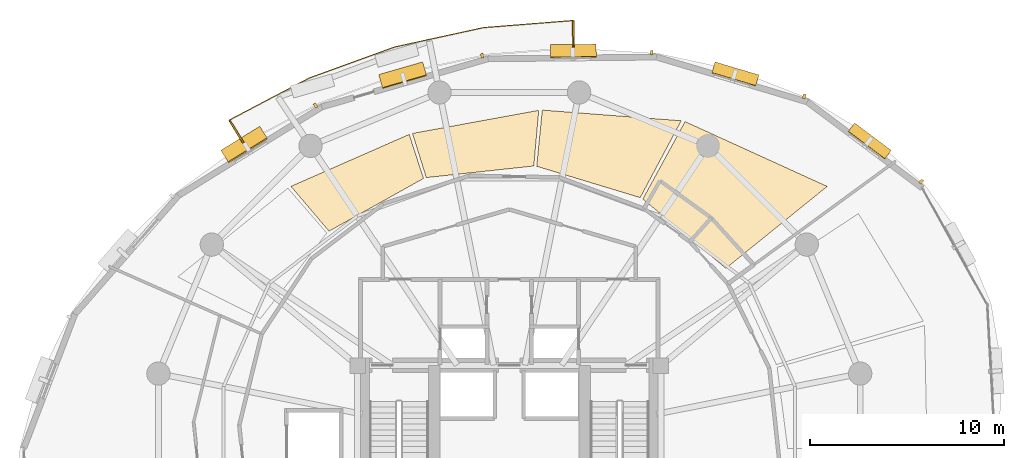
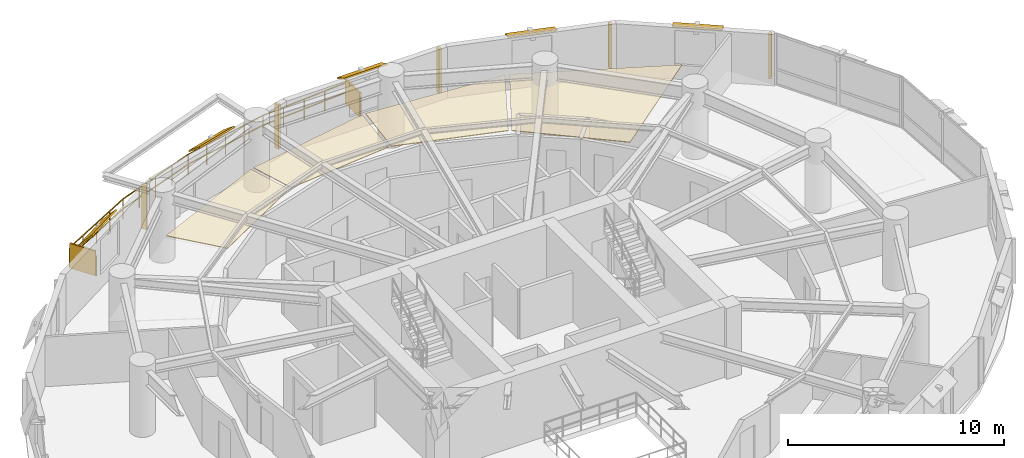
# One storey, part 15 of 15: 12 shading devices, 4 coverings, 1 railing.
"""IFC4 building model written with IfcOpenShell, lengths in metres."""

from ifc_helpers import new_model, si_unit, direction, frame, origin, origin_2d, place, context, subcontext, project, spatial, polyline, rectangle, outline, extrude, material, layer, layer_set, type_object, element, save


model = new_model("IFC4")

# Units and contexts
model_context = context("Model", 3, precision=1e-05, world=origin(), true_north=direction((0.0, 1.0)))
body_context = subcontext(model_context, "Body", "Model", "MODEL_VIEW")
ifc_project = project(units=[si_unit("LENGTHUNIT", "METRE"), si_unit("AREAUNIT", "SQUARE_METRE"), si_unit("VOLUMEUNIT", "CUBIC_METRE"), si_unit("PLANEANGLEUNIT", "RADIAN"), si_unit("MASSUNIT", "GRAM", prefix="KILO"), si_unit("THERMODYNAMICTEMPERATUREUNIT", "KELVIN"), si_unit("POWERUNIT", "WATT")], contexts=[model_context])

# Site, building, storey
site_placement = place(None, origin())
site = spatial("IfcSite", under=ifc_project, at=site_placement, CompositionType="ELEMENT")
building_placement = place(site_placement, origin())
building = spatial("IfcBuilding", under=site, at=building_placement, Name="Ocrelia Relay Tower", CompositionType="ELEMENT")
storey_placement = place(building_placement, frame((0.0, 0.0, 101.800048828125)))
storey = spatial("IfcBuildingStorey", under=building, at=storey_placement, Name="L23", CompositionType="ELEMENT", Elevation=101.800048828125)

# Coverings
ifc_material_1 = material(Name="Cleanroom metal-pan acoustic ceiling", Category="aluminium")
ifc_layer_1 = layer(ifc_material_1, 0.0400390625, Name="Cleanroom metal-pan acoustic ceiling")
ifc_layer_set_1 = layer_set([ifc_layer_1], Name="Cleanroom metal-pan acoustic ceiling")
covering_type = type_object("IfcCoveringType", Name="COV-CEIL-CLEAN", PredefinedType="CEILING", material=ifc_layer_set_1)
covering_1_placement = place(storey_placement, frame((0.0, 0.0, 2.719970703125)))
element("IfcCovering", 1, at=covering_1_placement, inside=storey, type_object=covering_type, Name="L23 Optical Switching Hall A Suspended Ceiling 1", PredefinedType="CEILING", context=body_context, shape_type="SweptSolid", body=[
    extrude(outline(polyline([(45.13671875, 35.002197265625), (50.348876953125, 39.21533203125), (43.040283203125, 42.546630859375), (40.86572265625, 38.566650390625), (45.13671875, 35.002197265625)])), origin(), (0.0, 0.0, 1.0), 0.0400390625),
])
covering_2_placement = place(storey_placement, frame((0.0, 0.0, 2.719970703125)))
element("IfcCovering", 2, at=covering_2_placement, inside=storey, type_object=covering_type, Name="L23 Optical Switching Hall A Suspended Ceiling 2", PredefinedType="CEILING", context=body_context, shape_type="SweptSolid", body=[
    extrude(outline(polyline([(40.73388671875, 38.637939453125), (42.8408203125, 42.592529296875), (35.69580078125, 43.139892578125), (35.409912109375, 40.25048828125), (40.73388671875, 38.637939453125)])), origin(), (0.0, 0.0, 1.0), 0.0400390625),
])
covering_3_placement = place(storey_placement, frame((0.0, 0.0, 2.719970703125)))
element("IfcCovering", 3, at=covering_3_placement, inside=storey, type_object=covering_type, Name="L23 Optical Switching Hall A Suspended Ceiling 3", PredefinedType="CEILING", context=body_context, shape_type="SweptSolid", body=[
    extrude(outline(polyline([(35.260498046875, 40.264404296875), (35.513671875, 43.12841796875), (29.01953125, 41.941650390625), (29.729736328125, 39.66845703125), (35.260498046875, 40.264404296875)])), origin(), (0.0, 0.0, 1.0), 0.0400390625),
])
covering_4_placement = place(storey_placement, frame((0.0, 0.0, 2.719970703125)))
element("IfcCovering", 4, at=covering_4_placement, inside=storey, type_object=covering_type, Name="L23 Optical Switching Hall A Suspended Ceiling 4", PredefinedType="CEILING", context=body_context, shape_type="SweptSolid", body=[
    extrude(outline(polyline([(29.5869140625, 39.623046875), (28.852294921875, 41.890380859375), (22.77001953125, 39.218505859375), (24.728515625, 36.913330078125), (29.5869140625, 39.623046875)])), origin(), (0.0, 0.0, 1.0), 0.0400390625),
])

# Railing
ifc_material_2 = material(Name="Steel S355 balustrade", Category="steel")
railing_type = type_object("IfcRailingType", Name="RL-EXT-GUARD-1150", PredefinedType="GUARDRAIL", material=ifc_material_2)
railing_placement = place(storey_placement, frame((20.3330078125, 41.44287109375, 0.0)))
element("IfcRailing", 5, at=railing_placement, inside=storey, type_object=railing_type, Name="L23 Loggia Balcony Guard Rail B1", PredefinedType="GUARDRAIL", context=body_context, shape_type="SweptSolid", body=[
    extrude(rectangle(XDim=0.048095703125, YDim=0.048095703125, at=origin_2d()), frame((0.0, 0.0, 1.1259765625), z_axis=(-0.527192759195, 0.849745723527, 0.0), x_axis=(-0.849745723527, -0.527192759195, 0.0)), (0.0, 0.0, 1.0), 1.3935546875),
    extrude(rectangle(XDim=0.048095703125, YDim=0.048095703125, at=origin_2d()), frame((0.0, 0.0, 0.574951171875), z_axis=(-0.527192759195, 0.849745723527, 0.0), x_axis=(-0.849745723527, -0.527192759195, 0.0)), (0.0, 0.0, 1.0), 1.3935546875),
    extrude(rectangle(XDim=0.048095703125, YDim=0.048095703125, at=origin_2d()), frame((-0.734619140625, 1.18408203125, 1.1259765625), z_axis=(0.884826741708, 0.465920204712, 0.0), x_axis=(-0.465920204712, 0.884826741708, 0.0)), (0.0, 0.0, 1.0), 2.316162109375),
    extrude(rectangle(XDim=0.048095703125, YDim=0.048095703125, at=origin_2d()), frame((-0.734619140625, 1.18408203125, 0.574951171875), z_axis=(0.884826741708, 0.465920204712, 0.0), x_axis=(-0.465920204712, 0.884826741708, 0.0)), (0.0, 0.0, 1.0), 2.316162109375),
    extrude(rectangle(XDim=0.048095703125, YDim=0.048095703125, at=origin_2d()), frame((1.314697265625, 2.26318359375, 1.1259765625), z_axis=(0.884847317738, 0.465881126782, 0.0), x_axis=(-0.465881126782, 0.884847317738, 0.0)), (0.0, 0.0, 1.0), 2.315673828125),
    extrude(rectangle(XDim=0.048095703125, YDim=0.048095703125, at=origin_2d()), frame((1.314697265625, 2.26318359375, 0.574951171875), z_axis=(0.884847317738, 0.465881126782, 0.0), x_axis=(-0.465881126782, 0.884847317738, 0.0)), (0.0, 0.0, 1.0), 2.315673828125),
    extrude(rectangle(XDim=0.048095703125, YDim=0.048095703125, at=origin_2d()), frame((3.36376953125, 3.342041015625, 1.1259765625), z_axis=(0.939750786978, 0.341860290724, 0.0), x_axis=(-0.341860290724, 0.939750786978, 0.0)), (0.0, 0.0, 1.0), 4.681884765625),
    extrude(rectangle(XDim=0.048095703125, YDim=0.048095703125, at=origin_2d()), frame((3.36376953125, 3.342041015625, 0.574951171875), z_axis=(0.939750786978, 0.341860290724, 0.0), x_axis=(-0.341860290724, 0.939750786978, 0.0)), (0.0, 0.0, 1.0), 4.681884765625),
    extrude(rectangle(XDim=0.048095703125, YDim=0.048095703125, at=origin_2d()), frame((7.763671875, 4.942626953125, 1.1259765625), z_axis=(0.977005690395, 0.2132132288, 0.0), x_axis=(-0.2132132288, 0.977005690395, 0.0)), (0.0, 0.0, 1.0), 4.68212890625),
    extrude(rectangle(XDim=0.048095703125, YDim=0.048095703125, at=origin_2d()), frame((7.763671875, 4.942626953125, 0.574951171875), z_axis=(0.977005690395, 0.2132132288, 0.0), x_axis=(-0.2132132288, 0.977005690395, 0.0)), (0.0, 0.0, 1.0), 4.68212890625),
    extrude(rectangle(XDim=0.048095703125, YDim=0.048095703125, at=origin_2d()), frame((12.338134765625, 5.94091796875, 1.1259765625), z_axis=(0.996877654387, 0.078961650078, 0.0), x_axis=(-0.078961650078, 0.996877654387, 0.0)), (0.0, 0.0, 1.0), 2.31591796875),
    extrude(rectangle(XDim=0.048095703125, YDim=0.048095703125, at=origin_2d()), frame((12.338134765625, 5.94091796875, 0.574951171875), z_axis=(0.996877654387, 0.078961650078, 0.0), x_axis=(-0.078961650078, 0.996877654387, 0.0)), (0.0, 0.0, 1.0), 2.31591796875),
    extrude(rectangle(XDim=0.048095703125, YDim=0.048095703125, at=origin_2d()), frame((14.646728515625, 6.123779296875, 1.1259765625), z_axis=(0.996877654387, 0.078961650078, 0.0), x_axis=(-0.078961650078, 0.996877654387, 0.0)), (0.0, 0.0, 1.0), 2.31591796875),
    extrude(rectangle(XDim=0.048095703125, YDim=0.048095703125, at=origin_2d()), frame((14.646728515625, 6.123779296875, 0.574951171875), z_axis=(0.996877654387, 0.078961650078, 0.0), x_axis=(-0.078961650078, 0.996877654387, 0.0)), (0.0, 0.0, 1.0), 2.31591796875),
    extrude(rectangle(XDim=0.048095703125, YDim=0.048095703125, at=origin_2d()), frame((16.955322265625, 6.306640625, 1.1259765625), z_axis=(0.008585630629, -0.999963142794, 0.0), x_axis=(0.999963142794, 0.008585630629, 0.0)), (0.0, 0.0, 1.0), 1.393310546875),
    extrude(rectangle(XDim=0.048095703125, YDim=0.048095703125, at=origin_2d()), frame((16.955322265625, 6.306640625, 0.574951171875), z_axis=(0.008585630629, -0.999963142794, 0.0), x_axis=(0.999963142794, 0.008585630629, 0.0)), (0.0, 0.0, 1.0), 1.393310546875),
    extrude(rectangle(XDim=0.0419921875, YDim=0.0419921875, at=origin_2d()), origin(), (0.0, 0.0, 1.0), 1.101806640625),
    extrude(rectangle(XDim=0.0419921875, YDim=0.0419921875, at=origin_2d()), frame((-0.3671875, 0.592041015625, 0.0)), (0.0, 0.0, 1.0), 1.101806640625),
    extrude(rectangle(XDim=0.0419921875, YDim=0.0419921875, at=origin_2d()), frame((-0.734619140625, 1.18408203125, 0.0)), (0.0, 0.0, 1.0), 1.101806640625),
    extrude(rectangle(XDim=0.0419921875, YDim=0.0419921875, at=origin_2d()), frame((0.2900390625, 1.7236328125, 0.0)), (0.0, 0.0, 1.0), 1.101806640625),
    extrude(rectangle(XDim=0.0419921875, YDim=0.0419921875, at=origin_2d()), frame((1.314697265625, 2.26318359375, 0.0)), (0.0, 0.0, 1.0), 1.101806640625),
    extrude(rectangle(XDim=0.0419921875, YDim=0.0419921875, at=origin_2d()), frame((2.33935546875, 2.802734375, 0.0)), (0.0, 0.0, 1.0), 1.101806640625),
    extrude(rectangle(XDim=0.0419921875, YDim=0.0419921875, at=origin_2d()), frame((3.36376953125, 3.342041015625, 0.0)), (0.0, 0.0, 1.0), 1.101806640625),
    extrude(rectangle(XDim=0.0419921875, YDim=0.0419921875, at=origin_2d()), frame((4.4638671875, 3.7421875, 0.0)), (0.0, 0.0, 1.0), 1.101806640625),
    extrude(rectangle(XDim=0.0419921875, YDim=0.0419921875, at=origin_2d()), frame((5.563720703125, 4.142333984375, 0.0)), (0.0, 0.0, 1.0), 1.101806640625),
    extrude(rectangle(XDim=0.0419921875, YDim=0.0419921875, at=origin_2d()), frame((6.66357421875, 4.54248046875, 0.0)), (0.0, 0.0, 1.0), 1.101806640625),
    extrude(rectangle(XDim=0.0419921875, YDim=0.0419921875, at=origin_2d()), frame((7.763671875, 4.942626953125, 0.0)), (0.0, 0.0, 1.0), 1.101806640625),
    extrude(rectangle(XDim=0.0419921875, YDim=0.0419921875, at=origin_2d()), frame((8.9072265625, 5.192138671875, 0.0)), (0.0, 0.0, 1.0), 1.101806640625),
    extrude(rectangle(XDim=0.0419921875, YDim=0.0419921875, at=origin_2d()), frame((10.05078125, 5.44189453125, 0.0)), (0.0, 0.0, 1.0), 1.101806640625),
    extrude(rectangle(XDim=0.0419921875, YDim=0.0419921875, at=origin_2d()), frame((11.194580078125, 5.69140625, 0.0)), (0.0, 0.0, 1.0), 1.101806640625),
    extrude(rectangle(XDim=0.0419921875, YDim=0.0419921875, at=origin_2d()), frame((12.338134765625, 5.94091796875, 0.0)), (0.0, 0.0, 1.0), 1.101806640625),
    extrude(rectangle(XDim=0.0419921875, YDim=0.0419921875, at=origin_2d()), frame((13.492431640625, 6.0322265625, 0.0)), (0.0, 0.0, 1.0), 1.101806640625),
    extrude(rectangle(XDim=0.0419921875, YDim=0.0419921875, at=origin_2d()), frame((14.646728515625, 6.123779296875, 0.0)), (0.0, 0.0, 1.0), 1.101806640625),
    extrude(rectangle(XDim=0.0419921875, YDim=0.0419921875, at=origin_2d()), frame((15.801025390625, 6.21533203125, 0.0)), (0.0, 0.0, 1.0), 1.101806640625),
    extrude(rectangle(XDim=0.0419921875, YDim=0.0419921875, at=origin_2d()), frame((16.955322265625, 6.306640625, 0.0)), (0.0, 0.0, 1.0), 1.101806640625),
    extrude(rectangle(XDim=0.0419921875, YDim=0.0419921875, at=origin_2d()), frame((16.96142578125, 5.60986328125, 0.0)), (0.0, 0.0, 1.0), 1.101806640625),
    extrude(rectangle(XDim=0.0419921875, YDim=0.0419921875, at=origin_2d()), frame((16.96728515625, 4.913330078125, 0.0)), (0.0, 0.0, 1.0), 1.101806640625),
])

# Shading devices
ifc_material_3 = material(Name="Perforated oxide terracotta solar screen", Category="masonry")
ifc_layer_2 = layer(ifc_material_3, 0.090087890625, Name="Perforated oxide terracotta solar screen")
ifc_layer_set_2 = layer_set([ifc_layer_2], Name="Perforated oxide terracotta solar screen")
shading_device_type_1 = type_object("IfcShadingDeviceType", Name="SH-BALC-SCREEN", PredefinedType="USERDEFINED", material=ifc_layer_set_2)
for number, where, z_axis, x_axis, name in (
    (6, (37.294189453125, 47.052978515625, 0.0), (0.0, 0.0, 1.0), (-0.00861170879, 0.999962918548, 0.0), "L23 Balcony Perforated Terracotta Screen B1-1"),
    (7, (19.9658203125, 42.034912109375, 0.0), (0.0, 0.0, 1.0), (-0.527041268074, 0.849839691793, 0.0), "L23 Balcony Perforated Terracotta Screen B1-2"),
):
    element("IfcShadingDevice", number, at=place(storey_placement, frame(where, z_axis=z_axis, x_axis=x_axis)), inside=storey, type_object=shading_device_type_1, Name=name, ObjectType="SCREEN", PredefinedType="USERDEFINED", context=body_context, shape_type="SweptSolid", body=[
        extrude(rectangle(XDim=1.340087890625, YDim=0.090087890625, at=origin_2d()), origin(), (0.0, 0.0, 1.0), 1.39990234375),
    ])
ifc_material_4 = material(Name="Extruded oxide terracotta vertical baguette", Category="masonry")
shading_device_type_2 = type_object("IfcShadingDeviceType", Name="SH-TERR-BAGUETTE", PredefinedType="USERDEFINED", material=ifc_material_4)
for number, where, z_axis, x_axis, name in (
    (8, (55.18798828125, 39.458251953125, 0.199951171875), (0.0, 0.0, 1.0), (-0.800414257869, 0.599447258564, 0.0), "L23 Oxide Terracotta Vertical Baguette 02"),
    (9, (49.168212890625, 43.84521484375, 0.199951171875), (0.0, 0.0, 1.0), (-0.958479977376, 0.285159837581, 0.0), "L23 Oxide Terracotta Vertical Baguette 03"),
    (10, (41.331298828125, 46.09228515625, 0.199951171875), (0.0, 0.0, 1.0), (-0.999948989877, -0.010100378382, 0.0), "L23 Oxide Terracotta Vertical Baguette 04"),
    (11, (32.6064453125, 45.93115234375, 0.199951171875), (0.0, 0.0, 1.0), (-0.960536510683, -0.27815393516, 0.0), "L23 Oxide Terracotta Vertical Baguette 05"),
    (12, (24.035888671875, 43.37353515625, 0.199951171875), (0.0, 0.0, 1.0), (-0.850619040717, -0.525782509761, 0.0), "L23 Oxide Terracotta Vertical Baguette 06"),
):
    element("IfcShadingDevice", number, at=place(storey_placement, frame(where, z_axis=z_axis, x_axis=x_axis)), inside=storey, type_object=shading_device_type_2, Name=name, ObjectType="BAGUETTE", PredefinedType="USERDEFINED", context=body_context, shape_type="SweptSolid", body=[
        extrude(rectangle(XDim=0.139892578125, YDim=0.239990234375, at=origin_2d()), origin(), (0.0, 0.0, 1.0), 2.5),
    ])
ifc_material_5 = material(Name="Extruded oxide terracotta fin", Category="masonry")
ifc_layer_3 = layer(ifc_material_5, 0.080078125, Name="Extruded oxide terracotta fin")
ifc_layer_set_3 = layer_set([ifc_layer_3], Name="Extruded oxide terracotta fin")
shading_device_type_3 = type_object("IfcShadingDeviceType", Name="SH-VISOR-FIN-MED", PredefinedType="USERDEFINED", material=ifc_layer_set_3)
shading_device_1_placement = place(storey_placement, frame((28.524169921875, 44.9091796875, 2.70849609375), z_axis=(-0.172432072552, 0.595451943556, 0.784668186733), x_axis=(-0.960536510683, -0.27815393516, 0.0)))
element("IfcShadingDevice", 13, at=shading_device_1_placement, inside=storey, type_object=shading_device_type_3, Name="L23 Canted Terracotta Sun-Visor Fin 05", ObjectType="FIN", PredefinedType="USERDEFINED", context=body_context, shape_type="SweptSolid", body=[
    extrude(rectangle(XDim=2.35009765625, YDim=0.887939453125, at=origin_2d()), origin(), (0.0, 0.0, 1.0), 0.080078125),
])
shading_device_2_placement = place(storey_placement, frame((20.38427734375, 41.3408203125, 2.713623046875), z_axis=(-0.395908676175, 0.640507152839, 0.658032603517), x_axis=(-0.850619040717, -0.525782509761, 0.0)))
element("IfcShadingDevice", 14, at=shading_device_2_placement, inside=storey, type_object=shading_device_type_3, Name="L23 Canted Terracotta Sun-Visor Fin 06", ObjectType="FIN", PredefinedType="USERDEFINED", context=body_context, shape_type="SweptSolid", body=[
    extrude(rectangle(XDim=2.35009765625, YDim=1.06396484375, at=origin_2d()), origin(), (0.0, 0.0, 1.0), 0.080078125),
])
ifc_layer_4 = layer(ifc_material_5, 0.080078125, Name="Extruded oxide terracotta fin")
ifc_layer_set_4 = layer_set([ifc_layer_4], Name="Extruded oxide terracotta fin")
shading_device_type_4 = type_object("IfcShadingDeviceType", Name="SH-VISOR-FIN-SHAL", PredefinedType="USERDEFINED", material=ifc_layer_set_4)
shading_device_3_placement = place(storey_placement, frame((52.523193359375, 41.537353515625, 2.7021484375), z_axis=(0.19337935887, 0.258210532796, 0.946536710496), x_axis=(-0.800414257869, 0.599447258564, 0.0)))
element("IfcShadingDevice", 15, at=shading_device_3_placement, inside=storey, type_object=shading_device_type_4, Name="L23 Canted Terracotta Sun-Visor Fin 02", ObjectType="FIN", PredefinedType="USERDEFINED", context=body_context, shape_type="SweptSolid", body=[
    extrude(rectangle(XDim=2.35009765625, YDim=0.56396484375, at=origin_2d()), origin(), (0.0, 0.0, 1.0), 0.080078125),
])
shading_device_4_placement = place(storey_placement, frame((45.622314453125, 44.979736328125, 2.702880859375), z_axis=(0.106776607972, 0.358897808545, 0.927249221629), x_axis=(-0.958479977376, 0.285159837581, 0.0)))
element("IfcShadingDevice", 16, at=shading_device_4_placement, inside=storey, type_object=shading_device_type_4, Name="L23 Canted Terracotta Sun-Visor Fin 03", ObjectType="FIN", PredefinedType="USERDEFINED", context=body_context, shape_type="SweptSolid", body=[
    extrude(rectangle(XDim=2.35009765625, YDim=0.616943359375, at=origin_2d()), origin(), (0.0, 0.0, 1.0), 0.080078125),
])
shading_device_5_placement = place(storey_placement, frame((37.296142578125, 46.16015625, 2.704833984375), z_axis=(-0.004816385291, 0.476827641876, 0.878983618946), x_axis=(-0.999948989877, -0.010100378382, 0.0)))
element("IfcShadingDevice", 17, at=shading_device_5_placement, inside=storey, type_object=shading_device_type_4, Name="L23 Canted Terracotta Sun-Visor Fin 04", ObjectType="FIN", PredefinedType="USERDEFINED", context=body_context, shape_type="SweptSolid", body=[
    extrude(rectangle(XDim=2.35009765625, YDim=0.72509765625, at=origin_2d()), origin(), (0.0, 0.0, 1.0), 0.080078125),
])

save(model, "model.ifc")
